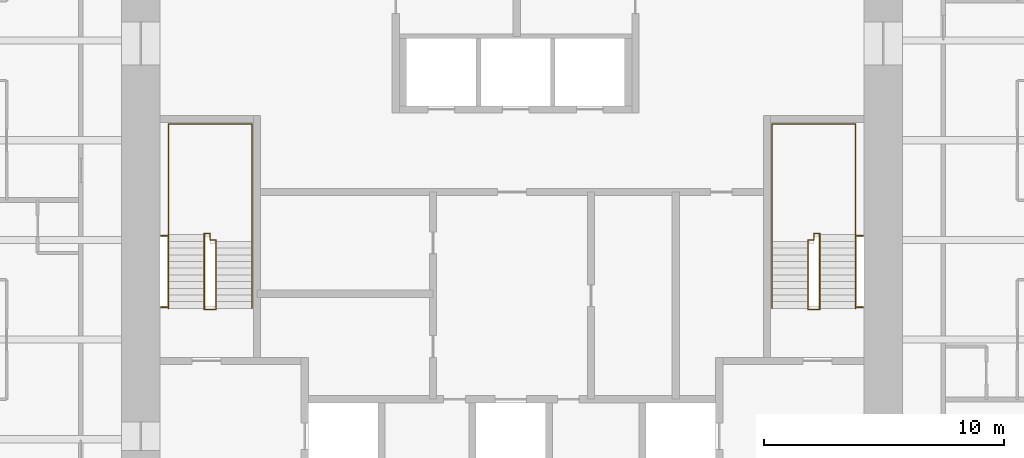
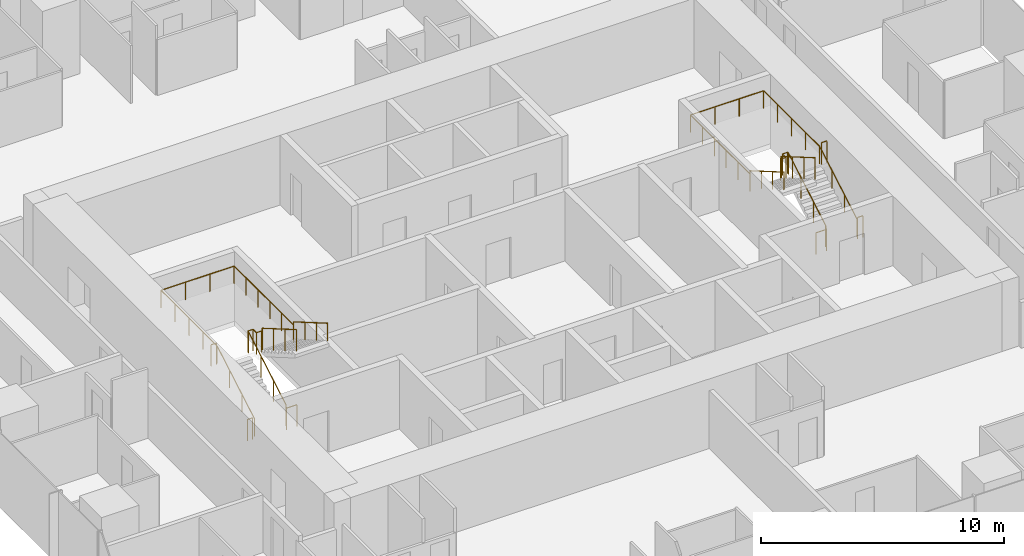
# One storey, part 13 of 13: 8 railings.
"""IFC4 building model written with IfcOpenShell, lengths in metres."""

from ifc_helpers import new_model, si_unit, direction, frame, origin, origin_2d, place, context, subcontext, project, spatial, circle, extrude, material, type_object, element, save


model = new_model("IFC4")

# Units and contexts
model_context = context("Model", 3, precision=1e-05, world=origin(), true_north=direction((0.0, 1.0)))
body_context = subcontext(model_context, "Body", "Model", "MODEL_VIEW")
ifc_project = project(units=[si_unit("LENGTHUNIT", "METRE"), si_unit("AREAUNIT", "SQUARE_METRE"), si_unit("VOLUMEUNIT", "CUBIC_METRE"), si_unit("PLANEANGLEUNIT", "RADIAN"), si_unit("MASSUNIT", "GRAM", prefix="KILO")], contexts=[model_context])

# Site, building, storey
site_placement = place(None, origin())
site = spatial("IfcSite", under=ifc_project, at=site_placement, CompositionType="ELEMENT")
building_placement = place(site_placement, origin())
building = spatial("IfcBuilding", under=site, at=building_placement, Name="Khuree Lantern Residences", CompositionType="ELEMENT")
storey_placement = place(building_placement, frame((0.0, 0.0, 255.75)))
storey = spatial("IfcBuildingStorey", under=building, at=storey_placement, Name="L64", CompositionType="ELEMENT", Elevation=255.75)

# Railings
ifc_material = material(Name="Steel S355", Category="steel")
railing_type_1 = type_object("IfcRailingType", Name="STAIR GUARD G1 1100", PredefinedType="GUARDRAIL", material=ifc_material)
railing_1_placement = place(storey_placement, frame((-12.35009765625, -2.909912109375, 0.0)))
element("IfcRailing", 1, at=railing_1_placement, inside=storey, type_object=railing_type_1, Name="Stair ST1 guard", PredefinedType="GUARDRAIL", context=body_context, shape_type="SweptSolid", body=[
    extrude(circle(Radius=0.02392578125, at=origin_2d()), frame((0.0, 0.0, 1.076171875), z_axis=(-1.0, 0.0, 0.0), x_axis=(0.0, -1.0, 0.0)), (0.0, 0.0, 1.0), 0.5),
    extrude(circle(Radius=0.02392578125, at=origin_2d()), frame((-0.5, 0.0, 1.076171875), z_axis=(0.0, 0.292073035251, 0.95639601739), x_axis=(-1.0, 0.0, 0.0)), (0.0, 0.0, 1.0), 0.17041015625),
    extrude(circle(Radius=0.02392578125, at=origin_2d()), frame((-0.5, 0.0498046875, 1.2392578125), z_axis=(0.0, 0.864176135923, 0.503189433615), x_axis=(-1.0, 0.0, 0.0)), (0.0, 0.0, 1.0), 3.564208984375),
    extrude(circle(Radius=0.02392578125, at=origin_2d()), frame((-0.5, 3.1298828125, 3.03271484375), z_axis=(0.0, 1.0, 0.0), x_axis=(-1.0, 0.0, 0.0)), (0.0, 0.0, 1.0), 0.050048828125),
    extrude(circle(Radius=0.02392578125, at=origin_2d()), frame((-0.5, 3.179931640625, 3.03271484375), z_axis=(1.0, 0.0, 0.0), x_axis=(0.0, 1.0, 0.0)), (0.0, 0.0, 1.0), 0.25),
    extrude(circle(Radius=0.02392578125, at=origin_2d()), frame((-0.25, 3.179931640625, 3.03271484375), z_axis=(0.0, -1.0, 0.0), x_axis=(1.0, 0.0, 0.0)), (0.0, 0.0, 1.0), 0.280029296875),
    extrude(circle(Radius=0.02392578125, at=origin_2d()), frame((-0.25, 2.89990234375, 3.03271484375), z_axis=(1.0, 0.0, 0.0), x_axis=(0.0, 1.0, 0.0)), (0.0, 0.0, 1.0), 0.25),
    extrude(circle(Radius=0.02392578125, at=origin_2d()), frame((0.0, 2.89990234375, 3.03271484375), z_axis=(0.0, -0.293381807449, 0.955995353053), x_axis=(1.0, 0.0, 0.0)), (0.0, 0.0, 1.0), 0.170654296875),
    extrude(circle(Radius=0.02392578125, at=origin_2d()), frame((0.0, 2.849853515625, 3.19580078125), z_axis=(0.0, -0.864180358799, 0.503182181189), x_axis=(1.0, 0.0, 0.0)), (0.0, 0.0, 1.0), 3.240234375),
    extrude(circle(Radius=0.02099609375, at=origin_2d()), origin(), (0.0, 0.0, 1.0), 1.052001953125),
    extrude(circle(Radius=0.02099609375, at=origin_2d()), frame((-0.5, 0.0, 0.0)), (0.0, 0.0, 1.0), 1.052001953125),
    extrude(circle(Radius=0.02099609375, at=origin_2d()), frame((-0.5, 0.0498046875, 0.1630859375)), (0.0, 0.0, 1.0), 1.052001953125),
    extrude(circle(Radius=0.02099609375, at=origin_2d()), frame((-0.5, 1.076416015625, 0.760986328125)), (0.0, 0.0, 1.0), 1.052001953125),
    extrude(circle(Radius=0.02099609375, at=origin_2d()), frame((-0.5, 2.103271484375, 1.358642578125)), (0.0, 0.0, 1.0), 1.052001953125),
    extrude(circle(Radius=0.02099609375, at=origin_2d()), frame((-0.5, 3.1298828125, 1.95654296875)), (0.0, 0.0, 1.0), 1.052001953125),
    extrude(circle(Radius=0.02099609375, at=origin_2d()), frame((-0.5, 3.179931640625, 1.95654296875)), (0.0, 0.0, 1.0), 1.052001953125),
    extrude(circle(Radius=0.02099609375, at=origin_2d()), frame((-0.25, 3.179931640625, 1.95654296875)), (0.0, 0.0, 1.0), 1.052001953125),
    extrude(circle(Radius=0.02099609375, at=origin_2d()), frame((-0.25, 2.89990234375, 1.95654296875)), (0.0, 0.0, 1.0), 1.052001953125),
    extrude(circle(Radius=0.02099609375, at=origin_2d()), frame((0.0, 2.89990234375, 1.95654296875)), (0.0, 0.0, 1.0), 1.052001953125),
    extrude(circle(Radius=0.02099609375, at=origin_2d()), frame((0.0, 2.849853515625, 2.11962890625)), (0.0, 0.0, 1.0), 1.052001953125),
    extrude(circle(Radius=0.02099609375, at=origin_2d()), frame((0.0, 1.91650390625, 2.6630859375)), (0.0, 0.0, 1.0), 1.052001953125),
    extrude(circle(Radius=0.02099609375, at=origin_2d()), frame((0.0, 0.983154296875, 3.20654296875)), (0.0, 0.0, 1.0), 1.052001953125),
    extrude(circle(Radius=0.02099609375, at=origin_2d()), frame((0.0, 0.0498046875, 3.75)), (0.0, 0.0, 1.0), 1.052001953125),
])
for number, where, name in (
    (2, (-14.64990234375, -2.81005859375, 0.0), "Stair ST1 landing slot guard"),
    (3, (-14.64990234375, 0.169921875, 1.95654296875), "Stair ST1 landing slot guard"),
):
    element("IfcRailing", number, at=place(storey_placement, frame(where)), inside=storey, type_object=railing_type_1, Name=name, PredefinedType="GUARDRAIL", context=body_context, shape_type="SweptSolid", body=[
        extrude(circle(Radius=0.02392578125, at=origin_2d()), frame((0.0, 0.0, 1.076171875), z_axis=(1.0, 0.0, 0.0), x_axis=(0.0, 1.0, 0.0)), (0.0, 0.0, 1.0), 0.25),
        extrude(circle(Radius=0.02099609375, at=origin_2d()), origin(), (0.0, 0.0, 1.0), 1.052001953125),
        extrude(circle(Radius=0.02099609375, at=origin_2d()), frame((0.25, 0.0, 0.0)), (0.0, 0.0, 1.0), 1.052001953125),
    ])
railing_2_placement = place(storey_placement, frame((12.35009765625, -2.909912109375, 0.0)))
element("IfcRailing", 4, at=railing_2_placement, inside=storey, type_object=railing_type_1, Name="Stair ST2 guard", PredefinedType="GUARDRAIL", context=body_context, shape_type="SweptSolid", body=[
    extrude(circle(Radius=0.02392578125, at=origin_2d()), frame((0.0, 0.0, 1.076171875), z_axis=(1.0, 0.0, 0.0), x_axis=(0.0, 1.0, 0.0)), (0.0, 0.0, 1.0), 0.5),
    extrude(circle(Radius=0.02392578125, at=origin_2d()), frame((0.5, 0.0, 1.076171875), z_axis=(0.0, 0.292073035251, 0.95639601739), x_axis=(-1.0, 0.0, 0.0)), (0.0, 0.0, 1.0), 0.17041015625),
    extrude(circle(Radius=0.02392578125, at=origin_2d()), frame((0.5, 0.0498046875, 1.2392578125), z_axis=(0.0, 0.864176135923, 0.503189433615), x_axis=(-1.0, 0.0, 0.0)), (0.0, 0.0, 1.0), 3.564208984375),
    extrude(circle(Radius=0.02392578125, at=origin_2d()), frame((0.5, 3.1298828125, 3.03271484375), z_axis=(0.0, 1.0, 0.0), x_axis=(-1.0, 0.0, 0.0)), (0.0, 0.0, 1.0), 0.050048828125),
    extrude(circle(Radius=0.02392578125, at=origin_2d()), frame((0.5, 3.179931640625, 3.03271484375), z_axis=(-1.0, 0.0, 0.0), x_axis=(0.0, -1.0, 0.0)), (0.0, 0.0, 1.0), 0.25),
    extrude(circle(Radius=0.02392578125, at=origin_2d()), frame((0.25, 3.179931640625, 3.03271484375), z_axis=(0.0, -1.0, 0.0), x_axis=(1.0, 0.0, 0.0)), (0.0, 0.0, 1.0), 0.280029296875),
    extrude(circle(Radius=0.02392578125, at=origin_2d()), frame((0.25, 2.89990234375, 3.03271484375), z_axis=(-1.0, 0.0, 0.0), x_axis=(0.0, -1.0, 0.0)), (0.0, 0.0, 1.0), 0.25),
    extrude(circle(Radius=0.02392578125, at=origin_2d()), frame((0.0, 2.89990234375, 3.03271484375), z_axis=(0.0, -0.293381807449, 0.955995353053), x_axis=(1.0, 0.0, 0.0)), (0.0, 0.0, 1.0), 0.170654296875),
    extrude(circle(Radius=0.02392578125, at=origin_2d()), frame((0.0, 2.849853515625, 3.19580078125), z_axis=(0.0, -0.864180358799, 0.503182181189), x_axis=(1.0, 0.0, 0.0)), (0.0, 0.0, 1.0), 3.240234375),
    extrude(circle(Radius=0.02099609375, at=origin_2d()), origin(), (0.0, 0.0, 1.0), 1.052001953125),
    extrude(circle(Radius=0.02099609375, at=origin_2d()), frame((0.5, 0.0, 0.0)), (0.0, 0.0, 1.0), 1.052001953125),
    extrude(circle(Radius=0.02099609375, at=origin_2d()), frame((0.5, 0.0498046875, 0.1630859375)), (0.0, 0.0, 1.0), 1.052001953125),
    extrude(circle(Radius=0.02099609375, at=origin_2d()), frame((0.5, 1.076416015625, 0.760986328125)), (0.0, 0.0, 1.0), 1.052001953125),
    extrude(circle(Radius=0.02099609375, at=origin_2d()), frame((0.5, 2.103271484375, 1.358642578125)), (0.0, 0.0, 1.0), 1.052001953125),
    extrude(circle(Radius=0.02099609375, at=origin_2d()), frame((0.5, 3.1298828125, 1.95654296875)), (0.0, 0.0, 1.0), 1.052001953125),
    extrude(circle(Radius=0.02099609375, at=origin_2d()), frame((0.5, 3.179931640625, 1.95654296875)), (0.0, 0.0, 1.0), 1.052001953125),
    extrude(circle(Radius=0.02099609375, at=origin_2d()), frame((0.25, 3.179931640625, 1.95654296875)), (0.0, 0.0, 1.0), 1.052001953125),
    extrude(circle(Radius=0.02099609375, at=origin_2d()), frame((0.25, 2.89990234375, 1.95654296875)), (0.0, 0.0, 1.0), 1.052001953125),
    extrude(circle(Radius=0.02099609375, at=origin_2d()), frame((0.0, 2.89990234375, 1.95654296875)), (0.0, 0.0, 1.0), 1.052001953125),
    extrude(circle(Radius=0.02099609375, at=origin_2d()), frame((0.0, 2.849853515625, 2.11962890625)), (0.0, 0.0, 1.0), 1.052001953125),
    extrude(circle(Radius=0.02099609375, at=origin_2d()), frame((0.0, 1.91650390625, 2.6630859375)), (0.0, 0.0, 1.0), 1.052001953125),
    extrude(circle(Radius=0.02099609375, at=origin_2d()), frame((0.0, 0.983154296875, 3.20654296875)), (0.0, 0.0, 1.0), 1.052001953125),
    extrude(circle(Radius=0.02099609375, at=origin_2d()), frame((0.0, 0.0498046875, 3.75)), (0.0, 0.0, 1.0), 1.052001953125),
])
for number, where, name in (
    (5, (14.64990234375, -2.81005859375, 0.0), "Stair ST2 landing slot guard"),
    (6, (14.64990234375, 0.169921875, 1.95654296875), "Stair ST2 landing slot guard"),
):
    element("IfcRailing", number, at=place(storey_placement, frame(where)), inside=storey, type_object=railing_type_1, Name=name, PredefinedType="GUARDRAIL", context=body_context, shape_type="SweptSolid", body=[
        extrude(circle(Radius=0.02392578125, at=origin_2d()), frame((0.0, 0.0, 1.076171875), z_axis=(-1.0, 0.0, 0.0), x_axis=(0.0, -1.0, 0.0)), (0.0, 0.0, 1.0), 0.25),
        extrude(circle(Radius=0.02099609375, at=origin_2d()), origin(), (0.0, 0.0, 1.0), 1.052001953125),
        extrude(circle(Radius=0.02099609375, at=origin_2d()), frame((-0.25, 0.0, 0.0)), (0.0, 0.0, 1.0), 1.052001953125),
    ])
railing_type_2 = type_object("IfcRailingType", Name="STAIR HANDRAIL H1 900", PredefinedType="HANDRAIL", material=ifc_material)
railing_3_placement = place(storey_placement, frame((-14.340087890625, -2.860107421875, 0.1630859375)))
element("IfcRailing", 7, at=railing_3_placement, inside=storey, type_object=railing_type_2, Name="Stair ST1 handrail", PredefinedType="HANDRAIL", context=body_context, shape_type="SweptSolid", body=[
    extrude(circle(Radius=0.02392578125, at=origin_2d()), frame((0.0, 0.0, 0.8759765625), z_axis=(0.0, 0.864176135923, 0.503189433615), x_axis=(-1.0, 0.0, 0.0)), (0.0, 0.0, 1.0), 3.564208984375),
    extrude(circle(Radius=0.02392578125, at=origin_2d()), frame((0.0, 3.080078125, 2.66943359375), z_axis=(0.0, 1.0, 0.0), x_axis=(-1.0, 0.0, 0.0)), (0.0, 0.0, 1.0), 4.6201171875),
    extrude(circle(Radius=0.02392578125, at=origin_2d()), frame((0.0, 7.7001953125, 2.66943359375), z_axis=(1.0, 0.0, 0.0), x_axis=(0.0, 1.0, 0.0)), (0.0, 0.0, 1.0), 3.47998046875),
    extrude(circle(Radius=0.02392578125, at=origin_2d()), frame((3.47998046875, 7.7001953125, 2.66943359375), z_axis=(0.0, -1.0, 0.0), x_axis=(1.0, 0.0, 0.0)), (0.0, 0.0, 1.0), 4.900146484375),
    extrude(circle(Radius=0.02392578125, at=origin_2d()), frame((3.47998046875, 2.800048828125, 2.66943359375), z_axis=(0.0, 0.0, 1.0), x_axis=(1.0, 0.0, 0.0)), (0.0, 0.0, 1.0), 0.1630859375),
    extrude(circle(Radius=0.02392578125, at=origin_2d()), frame((3.47998046875, 2.800048828125, 2.83251953125), z_axis=(0.0, -0.864180358799, 0.503182181189), x_axis=(1.0, 0.0, 0.0)), (0.0, 0.0, 1.0), 3.240234375),
    extrude(circle(Radius=0.02099609375, at=origin_2d()), origin(), (0.0, 0.0, 1.0), 0.851806640625),
    extrude(circle(Radius=0.02099609375, at=origin_2d()), frame((0.0, 1.026611328125, 0.597900390625)), (0.0, 0.0, 1.0), 0.851806640625),
    extrude(circle(Radius=0.02099609375, at=origin_2d()), frame((0.0, 2.053466796875, 1.195556640625)), (0.0, 0.0, 1.0), 0.851806640625),
    extrude(circle(Radius=0.02099609375, at=origin_2d()), frame((0.0, 3.080078125, 1.79345703125)), (0.0, 0.0, 1.0), 0.851806640625),
    extrude(circle(Radius=0.02099609375, at=origin_2d()), frame((0.0, 4.235107421875, 1.79345703125)), (0.0, 0.0, 1.0), 0.851806640625),
    extrude(circle(Radius=0.02099609375, at=origin_2d()), frame((0.0, 5.39013671875, 1.79345703125)), (0.0, 0.0, 1.0), 0.851806640625),
    extrude(circle(Radius=0.02099609375, at=origin_2d()), frame((0.0, 6.545166015625, 1.79345703125)), (0.0, 0.0, 1.0), 0.851806640625),
    extrude(circle(Radius=0.02099609375, at=origin_2d()), frame((0.0, 7.7001953125, 1.79345703125)), (0.0, 0.0, 1.0), 0.851806640625),
    extrude(circle(Radius=0.02099609375, at=origin_2d()), frame((1.159912109375, 7.7001953125, 1.79345703125)), (0.0, 0.0, 1.0), 0.851806640625),
    extrude(circle(Radius=0.02099609375, at=origin_2d()), frame((2.320068359375, 7.7001953125, 1.79345703125)), (0.0, 0.0, 1.0), 0.851806640625),
    extrude(circle(Radius=0.02099609375, at=origin_2d()), frame((3.47998046875, 7.7001953125, 1.79345703125)), (0.0, 0.0, 1.0), 0.851806640625),
    extrude(circle(Radius=0.02099609375, at=origin_2d()), frame((3.47998046875, 6.72021484375, 1.79345703125)), (0.0, 0.0, 1.0), 0.851806640625),
    extrude(circle(Radius=0.02099609375, at=origin_2d()), frame((3.47998046875, 5.740234375, 1.79345703125)), (0.0, 0.0, 1.0), 0.851806640625),
    extrude(circle(Radius=0.02099609375, at=origin_2d()), frame((3.47998046875, 4.760009765625, 1.79345703125)), (0.0, 0.0, 1.0), 0.851806640625),
    extrude(circle(Radius=0.02099609375, at=origin_2d()), frame((3.47998046875, 3.780029296875, 1.79345703125)), (0.0, 0.0, 1.0), 0.851806640625),
    extrude(circle(Radius=0.02099609375, at=origin_2d()), frame((3.47998046875, 2.800048828125, 1.79345703125)), (0.0, 0.0, 1.0), 0.851806640625),
    extrude(circle(Radius=0.02099609375, at=origin_2d()), frame((3.47998046875, 2.800048828125, 1.95654296875)), (0.0, 0.0, 1.0), 0.851806640625),
    extrude(circle(Radius=0.02099609375, at=origin_2d()), frame((3.47998046875, 1.86669921875, 2.5)), (0.0, 0.0, 1.0), 0.851806640625),
    extrude(circle(Radius=0.02099609375, at=origin_2d()), frame((3.47998046875, 0.933349609375, 3.04345703125)), (0.0, 0.0, 1.0), 0.851806640625),
    extrude(circle(Radius=0.02099609375, at=origin_2d()), frame((3.47998046875, 0.0, 3.5869140625)), (0.0, 0.0, 1.0), 0.851806640625),
])
railing_4_placement = place(storey_placement, frame((14.340087890625, -2.860107421875, 0.1630859375)))
element("IfcRailing", 8, at=railing_4_placement, inside=storey, type_object=railing_type_2, Name="Stair ST2 handrail", PredefinedType="HANDRAIL", context=body_context, shape_type="SweptSolid", body=[
    extrude(circle(Radius=0.02392578125, at=origin_2d()), frame((0.0, 0.0, 0.8759765625), z_axis=(0.0, 0.864176135923, 0.503189433615), x_axis=(-1.0, 0.0, 0.0)), (0.0, 0.0, 1.0), 3.564208984375),
    extrude(circle(Radius=0.02392578125, at=origin_2d()), frame((0.0, 3.080078125, 2.66943359375), z_axis=(0.0, 1.0, 0.0), x_axis=(-1.0, 0.0, 0.0)), (0.0, 0.0, 1.0), 4.6201171875),
    extrude(circle(Radius=0.02392578125, at=origin_2d()), frame((0.0, 7.7001953125, 2.66943359375), z_axis=(-1.0, 0.0, 0.0), x_axis=(0.0, -1.0, 0.0)), (0.0, 0.0, 1.0), 3.47998046875),
    extrude(circle(Radius=0.02392578125, at=origin_2d()), frame((-3.47998046875, 7.7001953125, 2.66943359375), z_axis=(0.0, -1.0, 0.0), x_axis=(1.0, 0.0, 0.0)), (0.0, 0.0, 1.0), 4.900146484375),
    extrude(circle(Radius=0.02392578125, at=origin_2d()), frame((-3.47998046875, 2.800048828125, 2.66943359375), z_axis=(0.0, 0.0, 1.0), x_axis=(1.0, 0.0, 0.0)), (0.0, 0.0, 1.0), 0.1630859375),
    extrude(circle(Radius=0.02392578125, at=origin_2d()), frame((-3.47998046875, 2.800048828125, 2.83251953125), z_axis=(0.0, -0.864180358799, 0.503182181189), x_axis=(1.0, 0.0, 0.0)), (0.0, 0.0, 1.0), 3.240234375),
    extrude(circle(Radius=0.02099609375, at=origin_2d()), origin(), (0.0, 0.0, 1.0), 0.851806640625),
    extrude(circle(Radius=0.02099609375, at=origin_2d()), frame((0.0, 1.026611328125, 0.597900390625)), (0.0, 0.0, 1.0), 0.851806640625),
    extrude(circle(Radius=0.02099609375, at=origin_2d()), frame((0.0, 2.053466796875, 1.195556640625)), (0.0, 0.0, 1.0), 0.851806640625),
    extrude(circle(Radius=0.02099609375, at=origin_2d()), frame((0.0, 3.080078125, 1.79345703125)), (0.0, 0.0, 1.0), 0.851806640625),
    extrude(circle(Radius=0.02099609375, at=origin_2d()), frame((0.0, 4.235107421875, 1.79345703125)), (0.0, 0.0, 1.0), 0.851806640625),
    extrude(circle(Radius=0.02099609375, at=origin_2d()), frame((0.0, 5.39013671875, 1.79345703125)), (0.0, 0.0, 1.0), 0.851806640625),
    extrude(circle(Radius=0.02099609375, at=origin_2d()), frame((0.0, 6.545166015625, 1.79345703125)), (0.0, 0.0, 1.0), 0.851806640625),
    extrude(circle(Radius=0.02099609375, at=origin_2d()), frame((0.0, 7.7001953125, 1.79345703125)), (0.0, 0.0, 1.0), 0.851806640625),
    extrude(circle(Radius=0.02099609375, at=origin_2d()), frame((-1.159912109375, 7.7001953125, 1.79345703125)), (0.0, 0.0, 1.0), 0.851806640625),
    extrude(circle(Radius=0.02099609375, at=origin_2d()), frame((-2.320068359375, 7.7001953125, 1.79345703125)), (0.0, 0.0, 1.0), 0.851806640625),
    extrude(circle(Radius=0.02099609375, at=origin_2d()), frame((-3.47998046875, 7.7001953125, 1.79345703125)), (0.0, 0.0, 1.0), 0.851806640625),
    extrude(circle(Radius=0.02099609375, at=origin_2d()), frame((-3.47998046875, 6.72021484375, 1.79345703125)), (0.0, 0.0, 1.0), 0.851806640625),
    extrude(circle(Radius=0.02099609375, at=origin_2d()), frame((-3.47998046875, 5.740234375, 1.79345703125)), (0.0, 0.0, 1.0), 0.851806640625),
    extrude(circle(Radius=0.02099609375, at=origin_2d()), frame((-3.47998046875, 4.760009765625, 1.79345703125)), (0.0, 0.0, 1.0), 0.851806640625),
    extrude(circle(Radius=0.02099609375, at=origin_2d()), frame((-3.47998046875, 3.780029296875, 1.79345703125)), (0.0, 0.0, 1.0), 0.851806640625),
    extrude(circle(Radius=0.02099609375, at=origin_2d()), frame((-3.47998046875, 2.800048828125, 1.79345703125)), (0.0, 0.0, 1.0), 0.851806640625),
    extrude(circle(Radius=0.02099609375, at=origin_2d()), frame((-3.47998046875, 2.800048828125, 1.95654296875)), (0.0, 0.0, 1.0), 0.851806640625),
    extrude(circle(Radius=0.02099609375, at=origin_2d()), frame((-3.47998046875, 1.86669921875, 2.5)), (0.0, 0.0, 1.0), 0.851806640625),
    extrude(circle(Radius=0.02099609375, at=origin_2d()), frame((-3.47998046875, 0.933349609375, 3.04345703125)), (0.0, 0.0, 1.0), 0.851806640625),
    extrude(circle(Radius=0.02099609375, at=origin_2d()), frame((-3.47998046875, 0.0, 3.5869140625)), (0.0, 0.0, 1.0), 0.851806640625),
])

save(model, "model.ifc")
